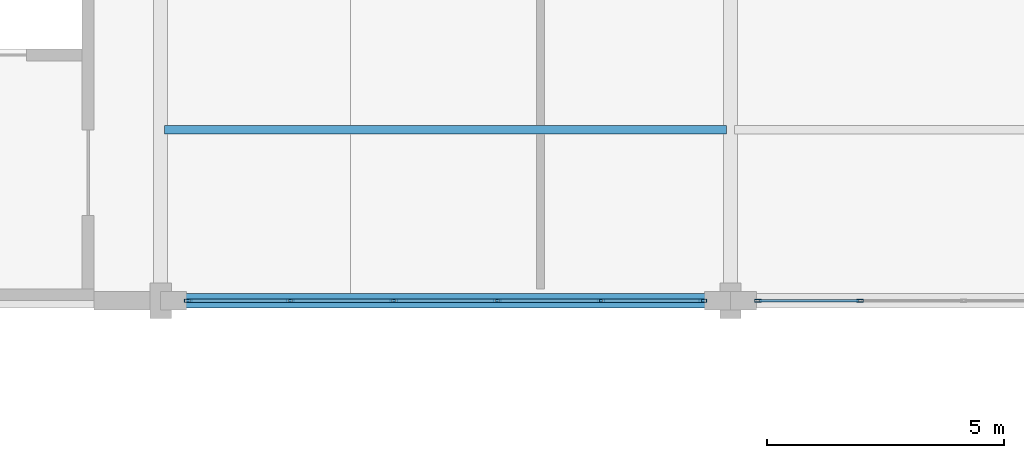
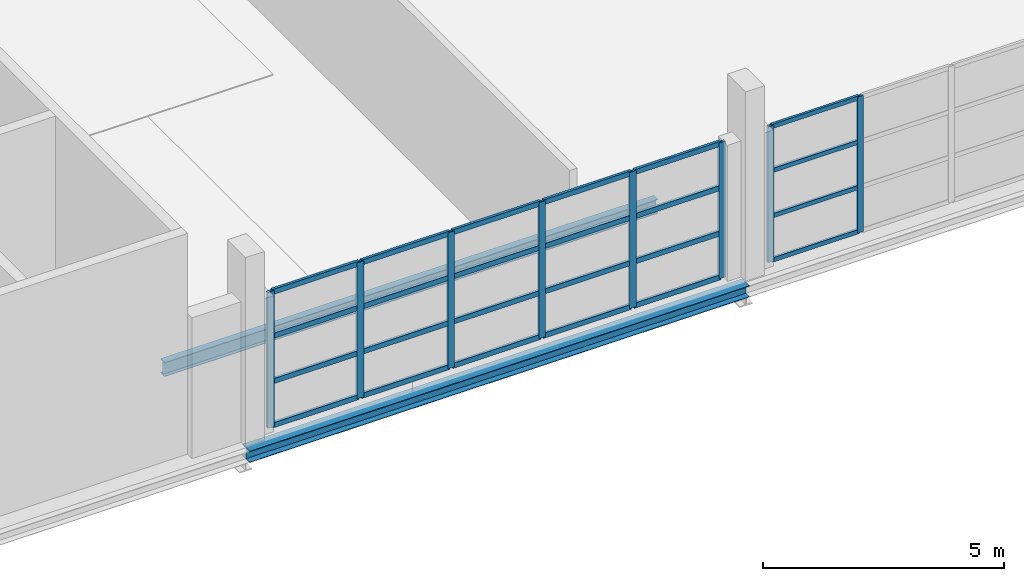
# One storey, part 35 of 86: 32 members, 2 beams, 2 elements without a shape of their own.
"""IFC4 building model written with IfcOpenShell, lengths in metres."""

from ifc_helpers import new_model, si_unit, direction, frame, origin, origin_2d, place, context, subcontext, project, spatial, hollow_rectangle, i_section, extrude, material, layer, layer_set, material_profile, profile_set, type_object, element, aggregate, save


model = new_model("IFC4")

# Units and contexts
model_context = context("Model", 3, precision=1e-05, world=origin(), true_north=direction((0.0, 1.0)))
body_context = subcontext(model_context, "Body", "Model", "MODEL_VIEW")
ifc_project = project(units=[si_unit("LENGTHUNIT", "METRE"), si_unit("AREAUNIT", "SQUARE_METRE"), si_unit("VOLUMEUNIT", "CUBIC_METRE"), si_unit("PLANEANGLEUNIT", "RADIAN"), si_unit("MASSUNIT", "GRAM", prefix="KILO")], contexts=[model_context])

# Site, building, storey
site_placement = place(None, origin())
site = spatial("IfcSite", under=ifc_project, at=site_placement, CompositionType="ELEMENT")
building_placement = place(site_placement, origin())
building = spatial("IfcBuilding", under=site, at=building_placement, Name="Zilviju Railside Exhibition Hall", CompositionType="ELEMENT")
storey_placement = place(building_placement, frame((0.0, 0.0, 12.60009765625)))
storey = spatial("IfcBuildingStorey", under=building, at=storey_placement, Name="L04", CompositionType="ELEMENT", Elevation=12.60009765625)

# Beams
ifc_material_1 = material(Name="Steel S355J2", Category="steel")
ifc_material_profile_1 = material_profile(ifc_material_1, i_section(OverallWidth=0.300048828125, OverallDepth=0.2900390625, WebThickness=0.008544921875, FlangeThickness=0.013916015625, at=origin_2d()), Name="HEA 300")
ifc_profile_set_1 = profile_set([ifc_material_profile_1], Name="Steel S355J2")
beam_type_1 = type_object("IfcBeamType", Name="BM-HEA300", PredefinedType="SPANDREL", material=ifc_profile_set_1)
beam_1_placement = place(storey_placement, frame((192.0, 84.0, -0.47509765625), z_axis=(1.0, 0.0, 0.0), x_axis=(0.0, 1.0, 0.0)))
element("IfcBeam", 1, at=beam_1_placement, inside=storey, type_object=beam_type_1, Name="Primary Girder L04 Y=84.0 (192.0..204.0)", PredefinedType="SPANDREL", context=body_context, shape_type="SweptSolid", body=[
    extrude(i_section(OverallWidth=0.300048828125, OverallDepth=0.2900390625, WebThickness=0.008544921875, FlangeThickness=0.013916015625, at=origin_2d()), origin(), (0.0, 0.0, 1.0), 12.0),
])
ifc_material_profile_2 = material_profile(ifc_material_1, i_section(OverallWidth=0.169921875, OverallDepth=0.360107421875, WebThickness=0.008056640625, FlangeThickness=0.0126953125, at=origin_2d()), Name="IPE 360")
ifc_profile_set_2 = profile_set([ifc_material_profile_2], Name="Steel S355J2")
beam_type_2 = type_object("IfcBeamType", Name="BM-IPE360", PredefinedType="JOIST", material=ifc_profile_set_2)
beam_2_placement = place(storey_placement, frame((192.080078125, 87.60009765625, -0.510009765625), z_axis=(1.0, 0.0, 0.0), x_axis=(0.0, 1.0, 0.0)))
element("IfcBeam", 2, at=beam_2_placement, inside=storey, type_object=beam_type_2, Name="Composite Floor Joist L04 Y=87.60 (192.0..204.0)", PredefinedType="JOIST", context=body_context, shape_type="SweptSolid", body=[
    extrude(i_section(OverallWidth=0.169921875, OverallDepth=0.360107421875, WebThickness=0.008056640625, FlangeThickness=0.0126953125, at=origin_2d()), origin(), (0.0, 0.0, 1.0), 11.83984375),
])

# Curtain wall, members
ifc_material_2 = material(Name="Thermally broken aluminium-steel triple-glazed curtain wall", Category="steel")
ifc_layer_1 = layer(ifc_material_2, 0.179931640625)
ifc_layer_set_1 = layer_set([ifc_layer_1], Name="Thermally broken aluminium-steel triple-glazed curtain wall")
curtain_wall_type_1 = type_object("IfcCurtainWallType", Name="CW-BAY-19", PredefinedType="USERDEFINED", material=ifc_layer_set_1)
curtain_wall_1_placement = place(storey_placement, origin())
curtain_wall_1 = element("IfcCurtainWall", 3, at=curtain_wall_1_placement, inside=storey, type_object=curtain_wall_type_1, Name="North Hall Garden Court Curtain Wall L04 (204..216)", ObjectType="GLAZED CURTAIN WALL", PredefinedType="USERDEFINED")
ifc_material_3 = material(Name="Thermally broken anodized aluminium mullion", Category="aluminium")
ifc_material_profile_3 = material_profile(ifc_material_3, hollow_rectangle(XDim=0.06005859375, YDim=0.139892578125, WallThickness=0.0048828125, at=origin_2d()), Name="MULLION 140x60x5")
ifc_profile_set_3 = profile_set([ifc_material_profile_3], Name="Thermally broken anodized aluminium mullion")
member_type_1 = type_object("IfcMemberType", Name="CWM-60x140", PredefinedType="MULLION", material=ifc_profile_set_3)
member_1_placement = place(storey_placement, frame((206.72998046875, 84.0, 0.0), z_axis=(0.0, 0.0, 1.0), x_axis=(0.0, -1.0, 0.0)))
member_1 = element("IfcMember", 4, at=member_1_placement, type_object=member_type_1, Name="CW-19 mullion 5", PredefinedType="MULLION", context=body_context, shape_type="SweptSolid", body=[
    extrude(hollow_rectangle(XDim=0.06005859375, YDim=0.139892578125, WallThickness=0.0048828125, at=origin_2d()), origin(), (0.0, 0.0, 1.0), 3.449951171875),
])
member_2_placement = place(storey_placement, frame((204.580078125, 84.0, 0.0), z_axis=(0.0, 0.0, 1.0), x_axis=(0.0, -1.0, 0.0)))
member_2 = element("IfcMember", 5, at=member_2_placement, type_object=member_type_1, Name="CW-19 mullion 6", PredefinedType="MULLION", context=body_context, shape_type="SweptSolid", body=[
    extrude(hollow_rectangle(XDim=0.06005859375, YDim=0.139892578125, WallThickness=0.0048828125, at=origin_2d()), origin(), (0.0, 0.0, 1.0), 3.449951171875),
])

ifc_layer_2 = layer(ifc_material_2, 0.179931640625)
ifc_layer_set_2 = layer_set([ifc_layer_2], Name="Thermally broken aluminium-steel triple-glazed curtain wall")
curtain_wall_type_2 = type_object("IfcCurtainWallType", Name="CW-BAY-18", PredefinedType="USERDEFINED", material=ifc_layer_set_2)
curtain_wall_2_placement = place(storey_placement, origin())
curtain_wall_2 = element("IfcCurtainWall", 6, at=curtain_wall_2_placement, inside=storey, type_object=curtain_wall_type_2, Name="North Hall Garden Court Curtain Wall L04 (192..204)", ObjectType="GLAZED CURTAIN WALL", PredefinedType="USERDEFINED")
ifc_material_profile_4 = material_profile(ifc_material_3, hollow_rectangle(XDim=0.06494140625, YDim=0.159912109375, WallThickness=0.0048828125, at=origin_2d()), Name="MULLION 160x65x5")
ifc_profile_set_4 = profile_set([ifc_material_profile_4], Name="Thermally broken anodized aluminium mullion")
member_type_2 = type_object("IfcMemberType", Name="CWM-65x160", PredefinedType="MULLION", material=ifc_profile_set_4)
member_3_placement = place(storey_placement, frame((203.41748046875, 84.0, 0.0), z_axis=(0.0, 0.0, 1.0), x_axis=(0.0, -1.0, 0.0)))
member_3 = element("IfcMember", 7, at=member_3_placement, type_object=member_type_2, Name="CW-18 mullion 1", PredefinedType="MULLION", context=body_context, shape_type="SweptSolid", body=[
    extrude(hollow_rectangle(XDim=0.06494140625, YDim=0.159912109375, WallThickness=0.0048828125, at=origin_2d()), origin(), (0.0, 0.0, 1.0), 3.449951171875),
])
member_4_placement = place(storey_placement, frame((201.27001953125, 84.0, 0.0), z_axis=(0.0, 0.0, 1.0), x_axis=(0.0, -1.0, 0.0)))
member_4 = element("IfcMember", 8, at=member_4_placement, type_object=member_type_2, Name="CW-18 mullion 2", PredefinedType="MULLION", context=body_context, shape_type="SweptSolid", body=[
    extrude(hollow_rectangle(XDim=0.06494140625, YDim=0.159912109375, WallThickness=0.0048828125, at=origin_2d()), origin(), (0.0, 0.0, 1.0), 3.449951171875),
])
member_5_placement = place(storey_placement, frame((199.090087890625, 84.0, 0.0), z_axis=(0.0, 0.0, 1.0), x_axis=(0.0, -1.0, 0.0)))
member_5 = element("IfcMember", 9, at=member_5_placement, type_object=member_type_2, Name="CW-18 mullion 3", PredefinedType="MULLION", context=body_context, shape_type="SweptSolid", body=[
    extrude(hollow_rectangle(XDim=0.06494140625, YDim=0.159912109375, WallThickness=0.0048828125, at=origin_2d()), origin(), (0.0, 0.0, 1.0), 3.449951171875),
])
member_6_placement = place(storey_placement, frame((196.909912109375, 84.0, 0.0), z_axis=(0.0, 0.0, 1.0), x_axis=(0.0, -1.0, 0.0)))
member_6 = element("IfcMember", 10, at=member_6_placement, type_object=member_type_2, Name="CW-18 mullion 4", PredefinedType="MULLION", context=body_context, shape_type="SweptSolid", body=[
    extrude(hollow_rectangle(XDim=0.06494140625, YDim=0.159912109375, WallThickness=0.0048828125, at=origin_2d()), origin(), (0.0, 0.0, 1.0), 3.449951171875),
])
member_7_placement = place(storey_placement, frame((194.72998046875, 84.0, 0.0), z_axis=(0.0, 0.0, 1.0), x_axis=(0.0, -1.0, 0.0)))
member_7 = element("IfcMember", 11, at=member_7_placement, type_object=member_type_2, Name="CW-18 mullion 5", PredefinedType="MULLION", context=body_context, shape_type="SweptSolid", body=[
    extrude(hollow_rectangle(XDim=0.06494140625, YDim=0.159912109375, WallThickness=0.0048828125, at=origin_2d()), origin(), (0.0, 0.0, 1.0), 3.449951171875),
])
member_8_placement = place(storey_placement, frame((192.58251953125, 84.0, 0.0), z_axis=(0.0, 0.0, 1.0), x_axis=(0.0, -1.0, 0.0)))
member_8 = element("IfcMember", 12, at=member_8_placement, type_object=member_type_2, Name="CW-18 mullion 6", PredefinedType="MULLION", context=body_context, shape_type="SweptSolid", body=[
    extrude(hollow_rectangle(XDim=0.06494140625, YDim=0.159912109375, WallThickness=0.0048828125, at=origin_2d()), origin(), (0.0, 0.0, 1.0), 3.449951171875),
])

# Member
ifc_material_4 = material(Name="Thermally broken anodized aluminium transom", Category="aluminium")
ifc_material_profile_5 = material_profile(ifc_material_4, hollow_rectangle(XDim=0.06005859375, YDim=0.110107421875, WallThickness=0.0048828125, at=origin_2d()), Name="TRANSOM 110x60x5")
ifc_profile_set_5 = profile_set([ifc_material_profile_5], Name="Thermally broken anodized aluminium transom")
member_type_3 = type_object("IfcMemberType", Name="CWT-60x110", PredefinedType="USERDEFINED", material=ifc_profile_set_5)
member_9_placement = place(storey_placement, frame((206.699951171875, 84.0, 0.02978515625), z_axis=(-1.0, 0.0, 0.0), x_axis=(0.0, -1.0, 0.0)))
member_9 = element("IfcMember", 13, at=member_9_placement, type_object=member_type_3, Name="CW-19 transom 5.1", ObjectType="TRANSOM", PredefinedType="USERDEFINED", context=body_context, shape_type="SweptSolid", body=[
    extrude(hollow_rectangle(XDim=0.06005859375, YDim=0.110107421875, WallThickness=0.0048828125, at=origin_2d()), origin(), (0.0, 0.0, 1.0), 2.08984375),
])

member_10_placement = place(storey_placement, frame((206.699951171875, 84.0, 1.14990234375), z_axis=(-1.0, 0.0, 0.0), x_axis=(0.0, -1.0, 0.0)))
member_10 = element("IfcMember", 14, at=member_10_placement, type_object=member_type_3, Name="CW-19 transom 5.2", ObjectType="TRANSOM", PredefinedType="USERDEFINED", context=body_context, shape_type="SweptSolid", body=[
    extrude(hollow_rectangle(XDim=0.06005859375, YDim=0.110107421875, WallThickness=0.0048828125, at=origin_2d()), origin(), (0.0, 0.0, 1.0), 2.08984375),
])

member_11_placement = place(storey_placement, frame((206.699951171875, 84.0, 2.2998046875), z_axis=(-1.0, 0.0, 0.0), x_axis=(0.0, -1.0, 0.0)))
member_11 = element("IfcMember", 15, at=member_11_placement, type_object=member_type_3, Name="CW-19 transom 5.3", ObjectType="TRANSOM", PredefinedType="USERDEFINED", context=body_context, shape_type="SweptSolid", body=[
    extrude(hollow_rectangle(XDim=0.06005859375, YDim=0.110107421875, WallThickness=0.0048828125, at=origin_2d()), origin(), (0.0, 0.0, 1.0), 2.08984375),
])

member_12_placement = place(storey_placement, frame((206.699951171875, 84.0, 3.419921875), z_axis=(-1.0, 0.0, 0.0), x_axis=(0.0, -1.0, 0.0)))
member_12 = element("IfcMember", 16, at=member_12_placement, type_object=member_type_3, Name="CW-19 transom 5.4", ObjectType="TRANSOM", PredefinedType="USERDEFINED", context=body_context, shape_type="SweptSolid", body=[
    extrude(hollow_rectangle(XDim=0.06005859375, YDim=0.110107421875, WallThickness=0.0048828125, at=origin_2d()), origin(), (0.0, 0.0, 1.0), 2.08984375),
])

aggregate(curtain_wall_1, [member_1, member_2, member_9, member_10, member_11, member_12])

ifc_material_profile_6 = material_profile(ifc_material_4, hollow_rectangle(XDim=0.06494140625, YDim=0.1298828125, WallThickness=0.0048828125, at=origin_2d()), Name="TRANSOM 130x65x5")
ifc_profile_set_6 = profile_set([ifc_material_profile_6], Name="Thermally broken anodized aluminium transom")
member_type_4 = type_object("IfcMemberType", Name="CWT-65x130", PredefinedType="USERDEFINED", material=ifc_profile_set_6)
member_13_placement = place(storey_placement, frame((203.385009765625, 84.0, 0.032470703125), z_axis=(-1.0, 0.0, 0.0), x_axis=(0.0, -1.0, 0.0)))
member_13 = element("IfcMember", 17, at=member_13_placement, type_object=member_type_4, Name="CW-18 transom 1.1", ObjectType="TRANSOM", PredefinedType="USERDEFINED", context=body_context, shape_type="SweptSolid", body=[
    extrude(hollow_rectangle(XDim=0.06494140625, YDim=0.1298828125, WallThickness=0.0048828125, at=origin_2d()), origin(), (0.0, 0.0, 1.0), 2.08251953125),
])

member_14_placement = place(storey_placement, frame((203.385009765625, 84.0, 1.14990234375), z_axis=(-1.0, 0.0, 0.0), x_axis=(0.0, -1.0, 0.0)))
member_14 = element("IfcMember", 18, at=member_14_placement, type_object=member_type_4, Name="CW-18 transom 1.2", ObjectType="TRANSOM", PredefinedType="USERDEFINED", context=body_context, shape_type="SweptSolid", body=[
    extrude(hollow_rectangle(XDim=0.06494140625, YDim=0.1298828125, WallThickness=0.0048828125, at=origin_2d()), origin(), (0.0, 0.0, 1.0), 2.08251953125),
])

member_15_placement = place(storey_placement, frame((203.385009765625, 84.0, 2.2998046875), z_axis=(-1.0, 0.0, 0.0), x_axis=(0.0, -1.0, 0.0)))
member_15 = element("IfcMember", 19, at=member_15_placement, type_object=member_type_4, Name="CW-18 transom 1.3", ObjectType="TRANSOM", PredefinedType="USERDEFINED", context=body_context, shape_type="SweptSolid", body=[
    extrude(hollow_rectangle(XDim=0.06494140625, YDim=0.1298828125, WallThickness=0.0048828125, at=origin_2d()), origin(), (0.0, 0.0, 1.0), 2.08251953125),
])

member_16_placement = place(storey_placement, frame((203.385009765625, 84.0, 3.41748046875), z_axis=(-1.0, 0.0, 0.0), x_axis=(0.0, -1.0, 0.0)))
member_16 = element("IfcMember", 20, at=member_16_placement, type_object=member_type_4, Name="CW-18 transom 1.4", ObjectType="TRANSOM", PredefinedType="USERDEFINED", context=body_context, shape_type="SweptSolid", body=[
    extrude(hollow_rectangle(XDim=0.06494140625, YDim=0.1298828125, WallThickness=0.0048828125, at=origin_2d()), origin(), (0.0, 0.0, 1.0), 2.08251953125),
])

member_17_placement = place(storey_placement, frame((201.237548828125, 84.0, 0.032470703125), z_axis=(-1.0, 0.0, 0.0), x_axis=(0.0, -1.0, 0.0)))
member_17 = element("IfcMember", 21, at=member_17_placement, type_object=member_type_4, Name="CW-18 transom 2.1", ObjectType="TRANSOM", PredefinedType="USERDEFINED", context=body_context, shape_type="SweptSolid", body=[
    extrude(hollow_rectangle(XDim=0.06494140625, YDim=0.1298828125, WallThickness=0.0048828125, at=origin_2d()), origin(), (0.0, 0.0, 1.0), 2.114990234375),
])

member_18_placement = place(storey_placement, frame((201.237548828125, 84.0, 1.14990234375), z_axis=(-1.0, 0.0, 0.0), x_axis=(0.0, -1.0, 0.0)))
member_18 = element("IfcMember", 22, at=member_18_placement, type_object=member_type_4, Name="CW-18 transom 2.2", ObjectType="TRANSOM", PredefinedType="USERDEFINED", context=body_context, shape_type="SweptSolid", body=[
    extrude(hollow_rectangle(XDim=0.06494140625, YDim=0.1298828125, WallThickness=0.0048828125, at=origin_2d()), origin(), (0.0, 0.0, 1.0), 2.114990234375),
])

member_19_placement = place(storey_placement, frame((201.237548828125, 84.0, 2.2998046875), z_axis=(-1.0, 0.0, 0.0), x_axis=(0.0, -1.0, 0.0)))
member_19 = element("IfcMember", 23, at=member_19_placement, type_object=member_type_4, Name="CW-18 transom 2.3", ObjectType="TRANSOM", PredefinedType="USERDEFINED", context=body_context, shape_type="SweptSolid", body=[
    extrude(hollow_rectangle(XDim=0.06494140625, YDim=0.1298828125, WallThickness=0.0048828125, at=origin_2d()), origin(), (0.0, 0.0, 1.0), 2.114990234375),
])

member_20_placement = place(storey_placement, frame((201.237548828125, 84.0, 3.41748046875), z_axis=(-1.0, 0.0, 0.0), x_axis=(0.0, -1.0, 0.0)))
member_20 = element("IfcMember", 24, at=member_20_placement, type_object=member_type_4, Name="CW-18 transom 2.4", ObjectType="TRANSOM", PredefinedType="USERDEFINED", context=body_context, shape_type="SweptSolid", body=[
    extrude(hollow_rectangle(XDim=0.06494140625, YDim=0.1298828125, WallThickness=0.0048828125, at=origin_2d()), origin(), (0.0, 0.0, 1.0), 2.114990234375),
])

member_21_placement = place(storey_placement, frame((199.0576171875, 84.0, 0.032470703125), z_axis=(-1.0, 0.0, 0.0), x_axis=(0.0, -1.0, 0.0)))
member_21 = element("IfcMember", 25, at=member_21_placement, type_object=member_type_4, Name="CW-18 transom 3.1", ObjectType="TRANSOM", PredefinedType="USERDEFINED", context=body_context, shape_type="SweptSolid", body=[
    extrude(hollow_rectangle(XDim=0.06494140625, YDim=0.1298828125, WallThickness=0.0048828125, at=origin_2d()), origin(), (0.0, 0.0, 1.0), 2.115234375),
])

member_22_placement = place(storey_placement, frame((199.0576171875, 84.0, 1.14990234375), z_axis=(-1.0, 0.0, 0.0), x_axis=(0.0, -1.0, 0.0)))
member_22 = element("IfcMember", 26, at=member_22_placement, type_object=member_type_4, Name="CW-18 transom 3.2", ObjectType="TRANSOM", PredefinedType="USERDEFINED", context=body_context, shape_type="SweptSolid", body=[
    extrude(hollow_rectangle(XDim=0.06494140625, YDim=0.1298828125, WallThickness=0.0048828125, at=origin_2d()), origin(), (0.0, 0.0, 1.0), 2.115234375),
])

member_23_placement = place(storey_placement, frame((199.0576171875, 84.0, 2.2998046875), z_axis=(-1.0, 0.0, 0.0), x_axis=(0.0, -1.0, 0.0)))
member_23 = element("IfcMember", 27, at=member_23_placement, type_object=member_type_4, Name="CW-18 transom 3.3", ObjectType="TRANSOM", PredefinedType="USERDEFINED", context=body_context, shape_type="SweptSolid", body=[
    extrude(hollow_rectangle(XDim=0.06494140625, YDim=0.1298828125, WallThickness=0.0048828125, at=origin_2d()), origin(), (0.0, 0.0, 1.0), 2.115234375),
])

member_24_placement = place(storey_placement, frame((199.0576171875, 84.0, 3.41748046875), z_axis=(-1.0, 0.0, 0.0), x_axis=(0.0, -1.0, 0.0)))
member_24 = element("IfcMember", 28, at=member_24_placement, type_object=member_type_4, Name="CW-18 transom 3.4", ObjectType="TRANSOM", PredefinedType="USERDEFINED", context=body_context, shape_type="SweptSolid", body=[
    extrude(hollow_rectangle(XDim=0.06494140625, YDim=0.1298828125, WallThickness=0.0048828125, at=origin_2d()), origin(), (0.0, 0.0, 1.0), 2.115234375),
])

member_25_placement = place(storey_placement, frame((196.87744140625, 84.0, 0.032470703125), z_axis=(-1.0, 0.0, 0.0), x_axis=(0.0, -1.0, 0.0)))
member_25 = element("IfcMember", 29, at=member_25_placement, type_object=member_type_4, Name="CW-18 transom 4.1", ObjectType="TRANSOM", PredefinedType="USERDEFINED", context=body_context, shape_type="SweptSolid", body=[
    extrude(hollow_rectangle(XDim=0.06494140625, YDim=0.1298828125, WallThickness=0.0048828125, at=origin_2d()), origin(), (0.0, 0.0, 1.0), 2.114990234375),
])

member_26_placement = place(storey_placement, frame((196.87744140625, 84.0, 1.14990234375), z_axis=(-1.0, 0.0, 0.0), x_axis=(0.0, -1.0, 0.0)))
member_26 = element("IfcMember", 30, at=member_26_placement, type_object=member_type_4, Name="CW-18 transom 4.2", ObjectType="TRANSOM", PredefinedType="USERDEFINED", context=body_context, shape_type="SweptSolid", body=[
    extrude(hollow_rectangle(XDim=0.06494140625, YDim=0.1298828125, WallThickness=0.0048828125, at=origin_2d()), origin(), (0.0, 0.0, 1.0), 2.114990234375),
])

member_27_placement = place(storey_placement, frame((196.87744140625, 84.0, 2.2998046875), z_axis=(-1.0, 0.0, 0.0), x_axis=(0.0, -1.0, 0.0)))
member_27 = element("IfcMember", 31, at=member_27_placement, type_object=member_type_4, Name="CW-18 transom 4.3", ObjectType="TRANSOM", PredefinedType="USERDEFINED", context=body_context, shape_type="SweptSolid", body=[
    extrude(hollow_rectangle(XDim=0.06494140625, YDim=0.1298828125, WallThickness=0.0048828125, at=origin_2d()), origin(), (0.0, 0.0, 1.0), 2.114990234375),
])

member_28_placement = place(storey_placement, frame((196.87744140625, 84.0, 3.41748046875), z_axis=(-1.0, 0.0, 0.0), x_axis=(0.0, -1.0, 0.0)))
member_28 = element("IfcMember", 32, at=member_28_placement, type_object=member_type_4, Name="CW-18 transom 4.4", ObjectType="TRANSOM", PredefinedType="USERDEFINED", context=body_context, shape_type="SweptSolid", body=[
    extrude(hollow_rectangle(XDim=0.06494140625, YDim=0.1298828125, WallThickness=0.0048828125, at=origin_2d()), origin(), (0.0, 0.0, 1.0), 2.114990234375),
])

member_29_placement = place(storey_placement, frame((194.697509765625, 84.0, 0.032470703125), z_axis=(-1.0, 0.0, 0.0), x_axis=(0.0, -1.0, 0.0)))
member_29 = element("IfcMember", 33, at=member_29_placement, type_object=member_type_4, Name="CW-18 transom 5.1", ObjectType="TRANSOM", PredefinedType="USERDEFINED", context=body_context, shape_type="SweptSolid", body=[
    extrude(hollow_rectangle(XDim=0.06494140625, YDim=0.1298828125, WallThickness=0.0048828125, at=origin_2d()), origin(), (0.0, 0.0, 1.0), 2.08251953125),
])

member_30_placement = place(storey_placement, frame((194.697509765625, 84.0, 1.14990234375), z_axis=(-1.0, 0.0, 0.0), x_axis=(0.0, -1.0, 0.0)))
member_30 = element("IfcMember", 34, at=member_30_placement, type_object=member_type_4, Name="CW-18 transom 5.2", ObjectType="TRANSOM", PredefinedType="USERDEFINED", context=body_context, shape_type="SweptSolid", body=[
    extrude(hollow_rectangle(XDim=0.06494140625, YDim=0.1298828125, WallThickness=0.0048828125, at=origin_2d()), origin(), (0.0, 0.0, 1.0), 2.08251953125),
])

member_31_placement = place(storey_placement, frame((194.697509765625, 84.0, 2.2998046875), z_axis=(-1.0, 0.0, 0.0), x_axis=(0.0, -1.0, 0.0)))
member_31 = element("IfcMember", 35, at=member_31_placement, type_object=member_type_4, Name="CW-18 transom 5.3", ObjectType="TRANSOM", PredefinedType="USERDEFINED", context=body_context, shape_type="SweptSolid", body=[
    extrude(hollow_rectangle(XDim=0.06494140625, YDim=0.1298828125, WallThickness=0.0048828125, at=origin_2d()), origin(), (0.0, 0.0, 1.0), 2.08251953125),
])

member_32_placement = place(storey_placement, frame((194.697509765625, 84.0, 3.41748046875), z_axis=(-1.0, 0.0, 0.0), x_axis=(0.0, -1.0, 0.0)))
member_32 = element("IfcMember", 36, at=member_32_placement, type_object=member_type_4, Name="CW-18 transom 5.4", ObjectType="TRANSOM", PredefinedType="USERDEFINED", context=body_context, shape_type="SweptSolid", body=[
    extrude(hollow_rectangle(XDim=0.06494140625, YDim=0.1298828125, WallThickness=0.0048828125, at=origin_2d()), origin(), (0.0, 0.0, 1.0), 2.08251953125),
])

aggregate(curtain_wall_2, [member_3, member_4, member_5, member_6, member_7, member_8, member_13, member_14, member_15, member_16, member_17, member_18, member_19, member_20, member_21, member_22, member_23, member_24, member_25, member_26, member_27, member_28, member_29, member_30, member_31, member_32])

save(model, "model.ifc")
